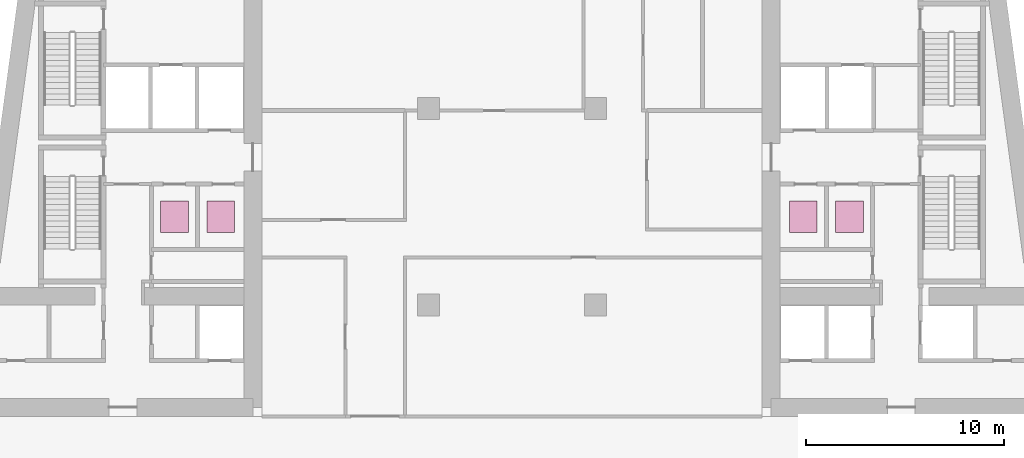
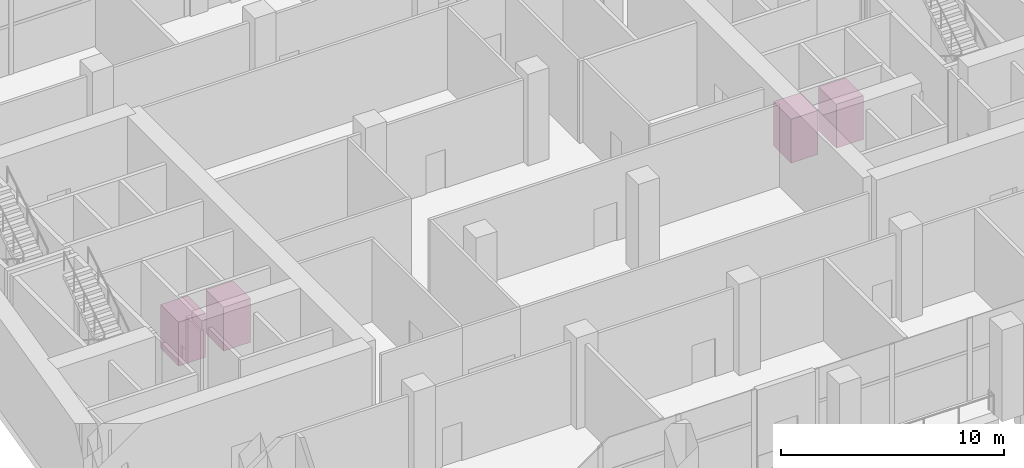
# One storey, part 16 of 16: 4 transport elements.
"""IFC4 building model written with IfcOpenShell, lengths in metres."""

from ifc_helpers import new_model, si_unit, direction, frame, origin, origin_2d, place, context, subcontext, project, spatial, rectangle, extrude, material, type_object, element, save


model = new_model("IFC4")

# Units and contexts
model_context = context("Model", 3, precision=1e-05, world=origin(), true_north=direction((0.0, 1.0)))
body_context = subcontext(model_context, "Body", "Model", "MODEL_VIEW")
ifc_project = project(units=[si_unit("LENGTHUNIT", "METRE"), si_unit("AREAUNIT", "SQUARE_METRE"), si_unit("VOLUMEUNIT", "CUBIC_METRE"), si_unit("PLANEANGLEUNIT", "RADIAN"), si_unit("MASSUNIT", "GRAM", prefix="KILO")], contexts=[model_context])

# Site, building, storey
site_placement = place(None, origin())
site = spatial("IfcSite", under=ifc_project, at=site_placement, CompositionType="ELEMENT")
building_placement = place(site_placement, origin())
building = spatial("IfcBuilding", under=site, at=building_placement, Name="Candeia Pilgrim Tower and Theatre", CompositionType="ELEMENT")
storey_placement = place(building_placement, frame((0.0, 0.0, 192.199951171875)))
storey = spatial("IfcBuildingStorey", under=building, at=storey_placement, Name="L46", CompositionType="ELEMENT", Elevation=192.199951171875)

# Transport elements
ifc_material = material(Name="Stainless steel lift car", Category="steel")
transport_element_type = type_object("IfcTransportElementType", Name="LIFT-1400x1600 1050kg", PredefinedType="ELEVATOR", material=ifc_material)
for number, where, z_axis, x_axis, name in (
    (1, (96.395263671875, 120.449951171875, 0.0), (0.0, 0.0, 1.0), (1.0, 0.0, 0.0), "High-rise lift HR1"),
    (2, (98.731689453125, 120.449951171875, 0.0), (0.0, 0.0, 1.0), (1.0, 0.0, 0.0), "High-rise lift HR2"),
    (3, (130.40478515625, 120.449951171875, 0.0), (0.0, 0.0, 1.0), (1.0, 0.0, 0.0), "High-rise lift HR3"),
    (4, (128.068359375, 120.449951171875, 0.0), (0.0, 0.0, 1.0), (1.0, 0.0, 0.0), "High-rise lift HR4"),
):
    element("IfcTransportElement", number, at=place(storey_placement, frame(where, z_axis=z_axis, x_axis=x_axis)), inside=storey, type_object=transport_element_type, Name=name, PredefinedType="ELEVATOR", context=body_context, shape_type="SweptSolid", body=[
        extrude(rectangle(XDim=1.39990234375, YDim=1.60009765625, at=origin_2d()), origin(), (0.0, 0.0, 1.0), 2.39990234375),
    ])

save(model, "model.ifc")
